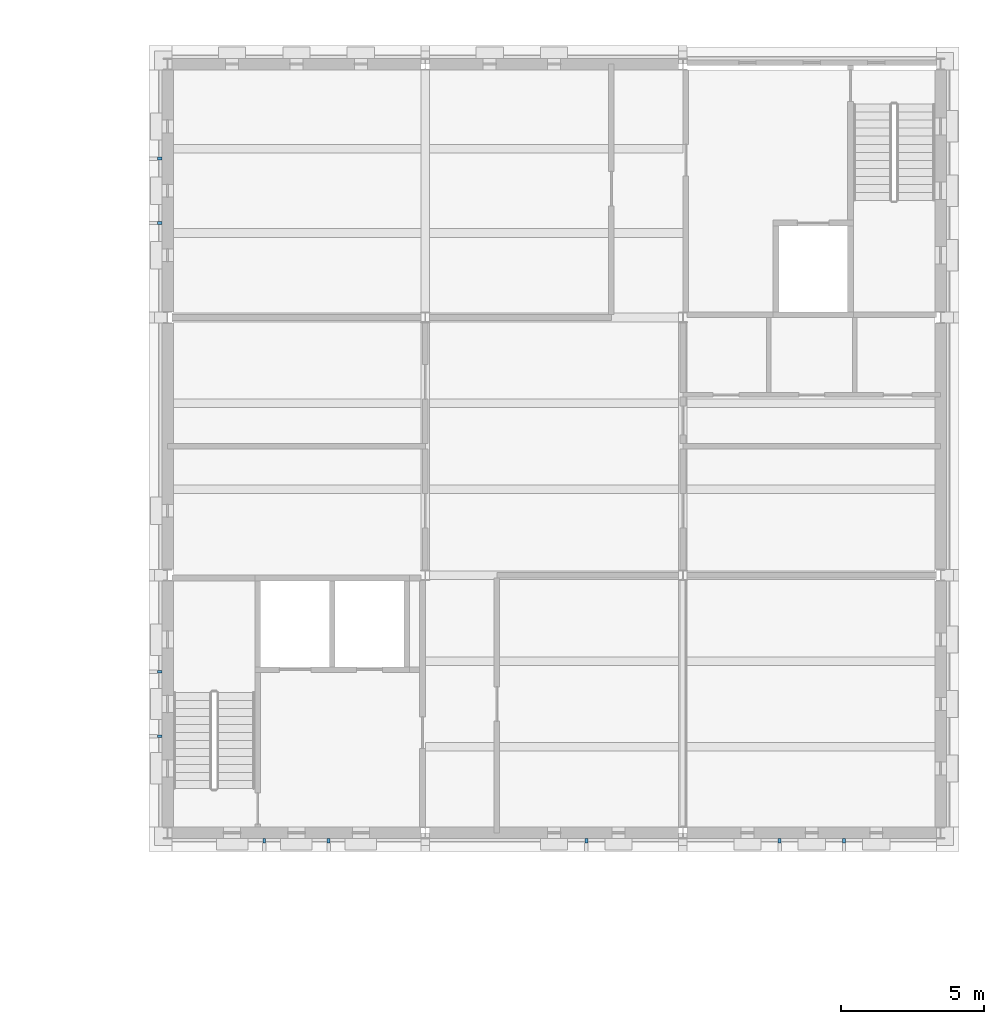
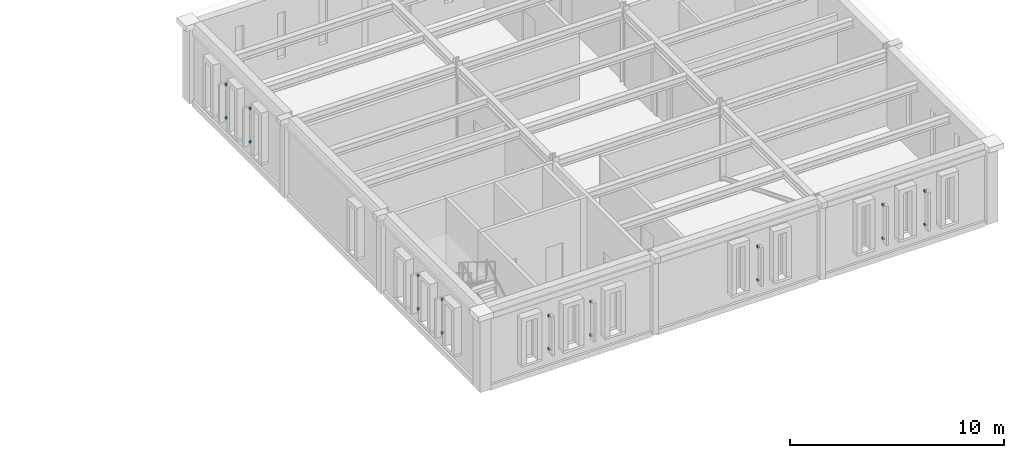
# One storey, part 57 of 70: 18 discrete accessories.
"""IFC4 building model written with IfcOpenShell, lengths in metres."""

from ifc_helpers import new_model, si_unit, direction, frame, origin, origin_2d, place, context, subcontext, project, spatial, rectangle, extrude, material, type_object, element, save


model = new_model("IFC4")

# Units and contexts
model_context = context("Model", 3, precision=1e-05, world=origin(), true_north=direction((0.0, 1.0)))
body_context = subcontext(model_context, "Body", "Model", "MODEL_VIEW")
ifc_project = project(units=[si_unit("LENGTHUNIT", "METRE"), si_unit("AREAUNIT", "SQUARE_METRE"), si_unit("VOLUMEUNIT", "CUBIC_METRE"), si_unit("PLANEANGLEUNIT", "RADIAN"), si_unit("MASSUNIT", "GRAM", prefix="KILO")], contexts=[model_context])

# Site, building, storey
site_placement = place(None, origin())
site = spatial("IfcSite", under=ifc_project, at=site_placement, CompositionType="ELEMENT")
building_placement = place(site_placement, origin())
building = spatial("IfcBuilding", under=site, at=building_placement, Name="Kallimachos Central Library", CompositionType="ELEMENT")
storey_placement = place(building_placement, frame((0.0, 0.0, 18.89990234375)))
storey = spatial("IfcBuildingStorey", under=building, at=storey_placement, Name="L04", CompositionType="ELEMENT", Elevation=18.89990234375)

# Discrete accessories
ifc_material = material(Name="Stainless steel", Category="steel")
discrete_accessory_type = type_object("IfcDiscreteAccessoryType", Name="Fin bracket", PredefinedType="BRACKET", material=ifc_material)
for number, where, z_axis, x_axis, name in (
    (1, (77.875, 17.72509765625, 1.0), (0.0, 0.0, 1.0), (1.0, 0.0, 0.0), "Fin bracket -L04-010"),
    (2, (77.875, 17.72509765625, 2.900146484375), (0.0, 0.0, 1.0), (1.0, 0.0, 0.0), "Fin bracket -L04-010"),
    (3, (80.125, 17.72509765625, 1.0), (0.0, 0.0, 1.0), (1.0, 0.0, 0.0), "Fin bracket -L04-010"),
    (4, (80.125, 17.72509765625, 2.900146484375), (0.0, 0.0, 1.0), (1.0, 0.0, 0.0), "Fin bracket -L04-010"),
    (5, (89.125, 17.72509765625, 1.0), (0.0, 0.0, 1.0), (1.0, 0.0, 0.0), "Fin bracket -L04-011"),
    (6, (89.125, 17.72509765625, 2.900146484375), (0.0, 0.0, 1.0), (1.0, 0.0, 0.0), "Fin bracket -L04-011"),
    (7, (95.875, 17.72509765625, 1.0), (0.0, 0.0, 1.0), (1.0, 0.0, 0.0), "Fin bracket -L04-012"),
    (8, (95.875, 17.72509765625, 2.900146484375), (0.0, 0.0, 1.0), (1.0, 0.0, 0.0), "Fin bracket -L04-012"),
    (9, (98.125, 17.72509765625, 1.0), (0.0, 0.0, 1.0), (1.0, 0.0, 0.0), "Fin bracket -L04-012"),
    (10, (98.125, 17.72509765625, 2.900146484375), (0.0, 0.0, 1.0), (1.0, 0.0, 0.0), "Fin bracket -L04-012"),
):
    element("IfcDiscreteAccessory", number, at=place(storey_placement, frame(where, z_axis=z_axis, x_axis=x_axis)), inside=storey, type_object=discrete_accessory_type, Name=name, PredefinedType="BRACKET", context=body_context, shape_type="SweptSolid", body=[
        extrude(rectangle(XDim=0.10009765625, YDim=0.14990234375, at=origin_2d()), origin(), (0.0, 0.0, 1.0), 0.10009765625),
    ])
for number, where, z_axis, x_axis, name in (
    (11, (74.22509765625, 21.375, 1.0), (0.0, 0.0, 1.0), (1.0, 0.0, 0.0), "Fin bracket -L04-016"),
    (12, (74.22509765625, 21.375, 2.900146484375), (0.0, 0.0, 1.0), (1.0, 0.0, 0.0), "Fin bracket -L04-016"),
    (13, (74.22509765625, 23.625, 1.0), (0.0, 0.0, 1.0), (1.0, 0.0, 0.0), "Fin bracket -L04-016"),
    (14, (74.22509765625, 23.625, 2.900146484375), (0.0, 0.0, 1.0), (1.0, 0.0, 0.0), "Fin bracket -L04-016"),
    (15, (74.22509765625, 39.300048828125, 1.0), (0.0, 0.0, 1.0), (1.0, 0.0, 0.0), "Fin bracket -L04-018"),
    (16, (74.22509765625, 39.300048828125, 2.900146484375), (0.0, 0.0, 1.0), (1.0, 0.0, 0.0), "Fin bracket -L04-018"),
    (17, (74.22509765625, 41.550048828125, 1.0), (0.0, 0.0, 1.0), (1.0, 0.0, 0.0), "Fin bracket -L04-018"),
    (18, (74.22509765625, 41.550048828125, 2.900146484375), (0.0, 0.0, 1.0), (1.0, 0.0, 0.0), "Fin bracket -L04-018"),
):
    element("IfcDiscreteAccessory", number, at=place(storey_placement, frame(where, z_axis=z_axis, x_axis=x_axis)), inside=storey, type_object=discrete_accessory_type, Name=name, PredefinedType="BRACKET", context=body_context, shape_type="SweptSolid", body=[
        extrude(rectangle(XDim=0.14990234375, YDim=0.10009765625, at=origin_2d()), origin(), (0.0, 0.0, 1.0), 0.10009765625),
    ])

save(model, "model.ifc")
